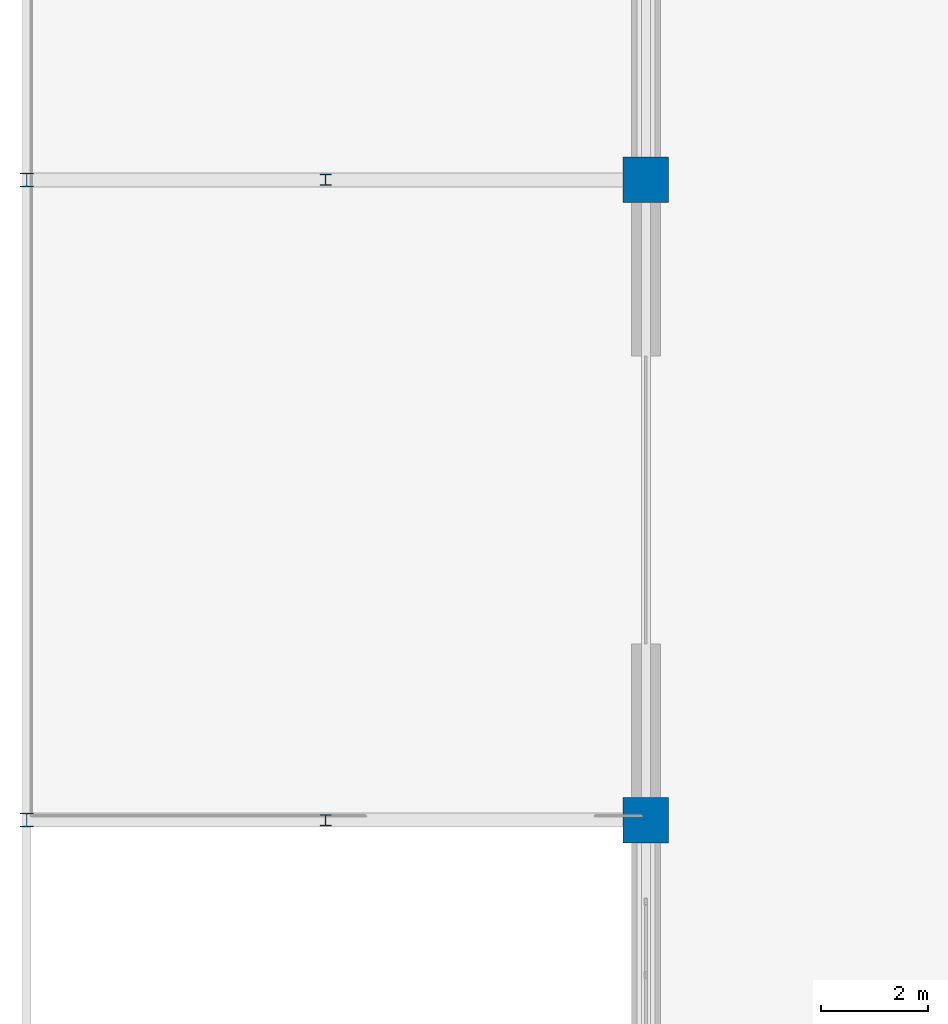
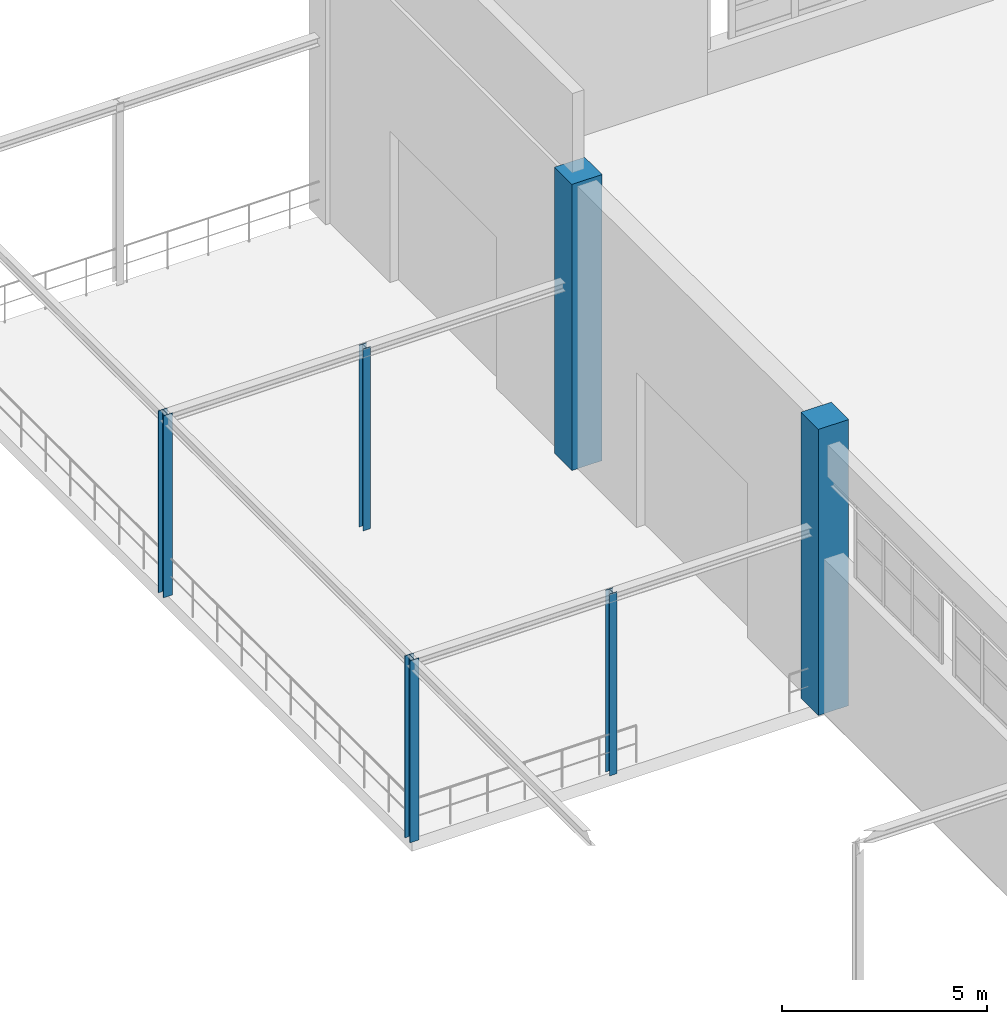
# One storey, part 9 of 97: 6 columns.
"""IFC4 building model written with IfcOpenShell, lengths in metres."""

from ifc_helpers import new_model, si_unit, derived_unit, direction, frame, origin, origin_2d, place, context, subcontext, project, spatial, rectangle, i_section, extrude, material, material_profile, profile_set, type_object, element, save


model = new_model("IFC4")

# Units and contexts
model_context = context("Model", 3, precision=1e-05, world=origin(), true_north=direction((0.0, 1.0)))
body_context = subcontext(model_context, "Body", "Model", "MODEL_VIEW")
ifc_project = project(units=[si_unit("LENGTHUNIT", "METRE"), si_unit("AREAUNIT", "SQUARE_METRE"), si_unit("VOLUMEUNIT", "CUBIC_METRE"), si_unit("PLANEANGLEUNIT", "RADIAN"), si_unit("MASSUNIT", "GRAM", prefix="KILO"), derived_unit("THERMALTRANSMITTANCEUNIT", [(si_unit("POWERUNIT", "WATT"), 1), (si_unit("LENGTHUNIT", "METRE"), -2), (si_unit("THERMODYNAMICTEMPERATUREUNIT", "KELVIN"), -1)])], contexts=[model_context])

# Site, building, storey
site_placement = place(None, origin())
site = spatial("IfcSite", under=ifc_project, at=site_placement, CompositionType="ELEMENT")
building_placement = place(site_placement, origin())
building = spatial("IfcBuilding", under=site, at=building_placement, Name="Almenara Railside Exhibition Hall", CompositionType="ELEMENT")
storey_placement = place(building_placement, frame((0.0, 0.0, 10.800048828125)))
storey = spatial("IfcBuildingStorey", under=building, at=storey_placement, Name="L02", CompositionType="ELEMENT", Elevation=10.800048828125)

# Columns
ifc_material_1 = material(Name="Concrete C40/50", Category="concrete")
ifc_material_profile_1 = material_profile(ifc_material_1, rectangle(XDim=0.85009765625, YDim=0.85009765625, at=origin_2d()), Name="RC 850x850")
ifc_profile_set_1 = profile_set([ifc_material_profile_1], Name="Concrete C40/50")
column_type_1 = type_object("IfcColumnType", Name="RC Column 850x850 C40/50", PredefinedType="COLUMN", material=ifc_profile_set_1)
for number, where, z_axis, x_axis, name in (
    (1, (12.0, 108.0, 0.0), (0.0, 0.0, 1.0), (1.0, 0.0, 0.0), "Column 0055"),
    (2, (12.0, 120.0, 0.0), (0.0, 0.0, 1.0), (1.0, 0.0, 0.0), "Column 0065"),
):
    element("IfcColumn", number, at=place(storey_placement, frame(where, z_axis=z_axis, x_axis=x_axis)), inside=storey, type_object=column_type_1, Name=name, PredefinedType="COLUMN", context=body_context, shape_type="SweptSolid", body=[
        extrude(rectangle(XDim=0.85009765625, YDim=0.85009765625, at=origin_2d()), origin(), (0.0, 0.0, 1.0), 8.5),
    ])
ifc_material_2 = material(Name="Structural steel S355JR", Category="steel")
ifc_material_profile_2 = material_profile(ifc_material_2, i_section(OverallWidth=0.205810546875, OverallDepth=0.209716796875, WebThickness=0.009521484375, FlangeThickness=0.01416015625, FilletRadius=0.01025390625, at=origin_2d()), Name="UC 203x203x60")
ifc_profile_set_2 = profile_set([ifc_material_profile_2], Name="Structural steel S355JR")
column_type_2 = type_object("IfcColumnType", Name="Steel Column UC 203x203x60 S355JR", PredefinedType="COLUMN", material=ifc_profile_set_2)
for number, where, z_axis, x_axis, name in (
    (3, (6.0, 108.0, 0.0), (0.0, 0.0, 1.0), (1.0, 0.0, 0.0), "Column 0272"),
    (4, (6.0, 120.0, 0.0), (0.0, 0.0, 1.0), (1.0, 0.0, 0.0), "Column 0278"),
):
    element("IfcColumn", number, at=place(storey_placement, frame(where, z_axis=z_axis, x_axis=x_axis)), inside=storey, type_object=column_type_2, Name=name, PredefinedType="COLUMN", context=body_context, shape_type="SweptSolid", body=[
        extrude(i_section(OverallWidth=0.205810546875, OverallDepth=0.209716796875, WebThickness=0.009521484375, FlangeThickness=0.01416015625, FilletRadius=0.01025390625, at=origin_2d()), origin(), (0.0, 0.0, 1.0), 5.39990234375),
    ])
ifc_material_profile_3 = material_profile(ifc_material_2, i_section(OverallWidth=0.25634765625, OverallDepth=0.26025390625, WebThickness=0.01025390625, FlangeThickness=0.017333984375, FilletRadius=0.0126953125, at=origin_2d()), Name="UC 254x254x89")
ifc_profile_set_3 = profile_set([ifc_material_profile_3], Name="Structural steel S355JR")
column_type_3 = type_object("IfcColumnType", Name="Steel Column UC 254x254x89 S355JR", PredefinedType="COLUMN", material=ifc_profile_set_3)
for number, where, z_axis, x_axis, name in (
    (5, (0.39990234375, 108.0, 0.0), (0.0, 0.0, 1.0), (1.0, 0.0, 0.0), "Column 0269"),
    (6, (0.39990234375, 120.0, 0.0), (0.0, 0.0, 1.0), (1.0, 0.0, 0.0), "Column 0275"),
):
    element("IfcColumn", number, at=place(storey_placement, frame(where, z_axis=z_axis, x_axis=x_axis)), inside=storey, type_object=column_type_3, Name=name, PredefinedType="COLUMN", context=body_context, shape_type="SweptSolid", body=[
        extrude(i_section(OverallWidth=0.25634765625, OverallDepth=0.26025390625, WebThickness=0.01025390625, FlangeThickness=0.017333984375, FilletRadius=0.0126953125, at=origin_2d()), origin(), (0.0, 0.0, 1.0), 5.39990234375),
    ])

save(model, "model.ifc")
